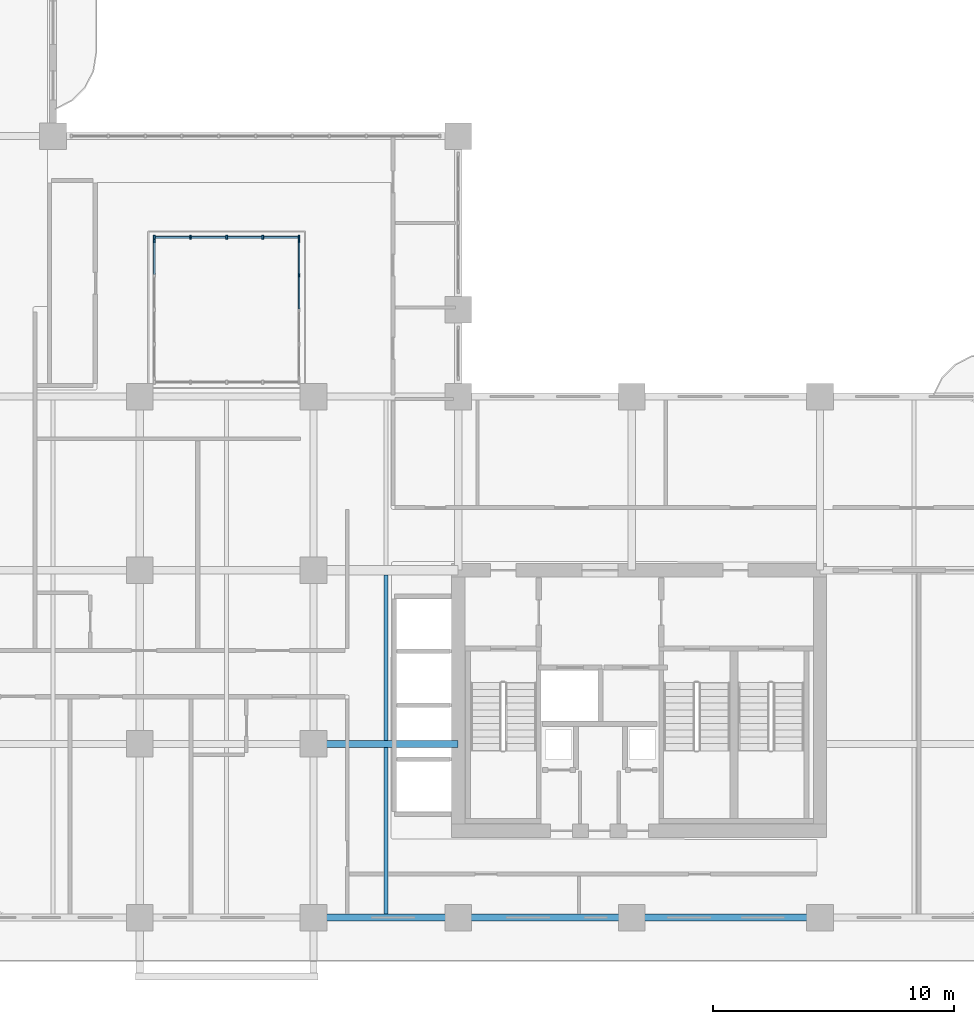
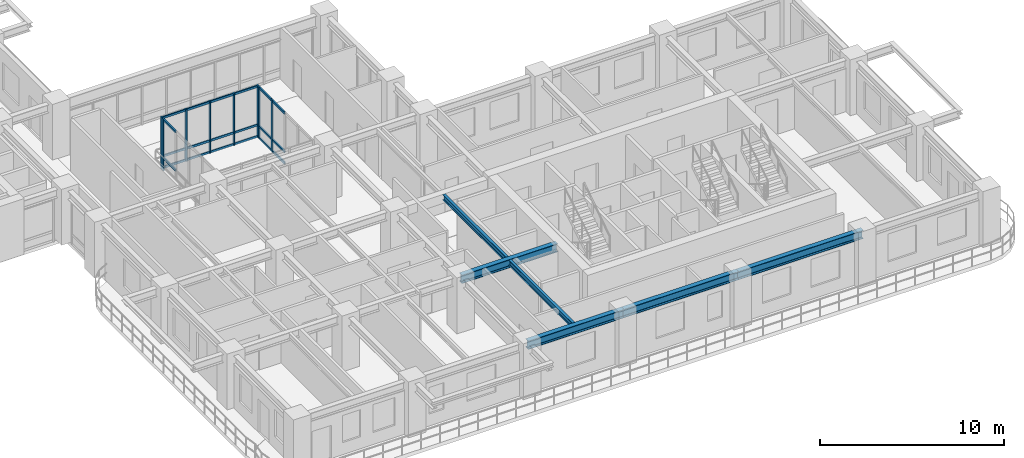
# One storey, part 3 of 22: 28 members, 6 beams, 3 elements without a shape of their own.
"""IFC4 building model written with IfcOpenShell, lengths in metres."""

from ifc_helpers import new_model, si_unit, derived_unit, direction, frame, origin, origin_2d, place, context, subcontext, project, spatial, rectangle, i_section, extrude, source, transform, mapped, material, layer, layer_set, material_profile, profile_set, type_object, type_shapes, element, aggregate, save


model = new_model("IFC4")

# Units and contexts
model_context = context("Model", 3, precision=1e-05, world=origin(), true_north=direction((0.0, 1.0)))
body_context = subcontext(model_context, "Body", "Model", "MODEL_VIEW")
ifc_project = project(units=[si_unit("LENGTHUNIT", "METRE"), si_unit("AREAUNIT", "SQUARE_METRE"), si_unit("VOLUMEUNIT", "CUBIC_METRE"), si_unit("PLANEANGLEUNIT", "RADIAN"), si_unit("MASSUNIT", "GRAM", prefix="KILO"), si_unit("THERMODYNAMICTEMPERATUREUNIT", "KELVIN"), si_unit("POWERUNIT", "WATT"), derived_unit("THERMALTRANSMITTANCEUNIT", [(si_unit("POWERUNIT", "WATT"), 1), (si_unit("AREAUNIT", "SQUARE_METRE"), -1), (si_unit("THERMODYNAMICTEMPERATUREUNIT", "KELVIN"), -1)])], contexts=[model_context])

# Site, building, storey
site_placement = place(None, origin())
site = spatial("IfcSite", under=ifc_project, at=site_placement, CompositionType="ELEMENT")
building_placement = place(site_placement, origin())
building = spatial("IfcBuilding", under=site, at=building_placement, Name="Zahravan Archway Hotel and Residences", CompositionType="ELEMENT")
storey_placement = place(building_placement, frame((0.0, 0.0, 95.300048828125)))
storey = spatial("IfcBuildingStorey", under=building, at=storey_placement, Name="L23", CompositionType="ELEMENT", Elevation=95.300048828125)

# Beams
ifc_material_1 = material(Name="Structural Steel S355JR", Category="steel")
ifc_material_profile_1 = material_profile(ifc_material_1, i_section(OverallWidth=0.300048828125, OverallDepth=0.550048828125, WebThickness=0.014892578125, FlangeThickness=0.029052734375, FilletRadius=0.027099609375, at=origin_2d()), Name="HEB 550", Category="steel")
ifc_profile_set_1 = profile_set([ifc_material_profile_1], Name="Structural Steel S355JR")
beam_type_1 = type_object("IfcBeamType", Name="BM-PRI-HEB550", PredefinedType="BEAM", material=ifc_profile_set_1)
shared_shape_1 = source(origin(), body_context, "Body", "SweptSolid", [
    extrude(i_section(OverallWidth=0.300048828125, OverallDepth=0.550048828125, WebThickness=0.014892578125, FlangeThickness=0.029052734375, FilletRadius=0.027099609375, at=origin_2d()), origin(), (0.0, 0.0, 1.0), 7.199951171875),
])
beam_1_placement = place(storey_placement, frame((34.800048828125, 0.0, 3.175048828125), z_axis=(1.0, 0.0, 0.0), x_axis=(0.0, 1.0, 0.0)))
element("IfcBeam", 1, at=beam_1_placement, inside=storey, type_object=beam_type_1, Name="L23 Primary Girder EW-04", PredefinedType="BEAM", context=body_context, shape_type="MappedRepresentation", body=[
    mapped(shared_shape_1, transform((0.0, 0.0, 0.0), scale=1.0)),
])
shared_shape_2 = source(origin(), body_context, "Body", "SweptSolid", [
    extrude(i_section(OverallWidth=0.300048828125, OverallDepth=0.550048828125, WebThickness=0.014892578125, FlangeThickness=0.029052734375, FilletRadius=0.027099609375, at=origin_2d()), origin(), (0.0, 0.0, 1.0), 6.0),
])
for number, where, z_axis, x_axis, name in (
    (2, (28.800048828125, 0.0, 3.175048828125), (1.0, 0.0, 0.0), (0.0, 1.0, 0.0), "L23 Primary Girder EW-03"),
    (3, (28.800048828125, 7.199951171875, 3.175048828125), (1.0, 0.0, 0.0), (0.0, 1.0, 0.0), "L23 Primary Girder EW-09"),
):
    element("IfcBeam", number, at=place(storey_placement, frame(where, z_axis=z_axis, x_axis=x_axis)), inside=storey, type_object=beam_type_1, Name=name, PredefinedType="BEAM", context=body_context, shape_type="MappedRepresentation", body=[
        mapped(shared_shape_2, transform((0.0, 0.0, 0.0), scale=1.0)),
    ])
shared_shape_3 = source(origin(), body_context, "Body", "SweptSolid", [
    extrude(i_section(OverallWidth=0.300048828125, OverallDepth=0.550048828125, WebThickness=0.014892578125, FlangeThickness=0.029052734375, FilletRadius=0.027099609375, at=origin_2d()), origin(), (0.0, 0.0, 1.0), 7.800048828125),
])
beam_2_placement = place(storey_placement, frame((42.0, 0.0, 3.175048828125), z_axis=(1.0, 0.0, 0.0), x_axis=(0.0, 1.0, 0.0)))
element("IfcBeam", 4, at=beam_2_placement, inside=storey, type_object=beam_type_1, Name="L23 Primary Girder EW-05", PredefinedType="BEAM", context=body_context, shape_type="MappedRepresentation", body=[
    mapped(shared_shape_3, transform((0.0, 0.0, 0.0), scale=1.0)),
])
ifc_material_profile_2 = material_profile(ifc_material_1, i_section(OverallWidth=0.169921875, OverallDepth=0.360107421875, WebThickness=0.008056640625, FlangeThickness=0.0126953125, FilletRadius=0.01806640625, at=origin_2d()), Name="IPE 360", Category="steel")
ifc_profile_set_2 = profile_set([ifc_material_profile_2], Name="Structural Steel S355JR")
beam_type_2 = type_object("IfcBeamType", Name="BM-JST-IPE360", PredefinedType="JOIST", material=ifc_profile_set_2)
shared_shape_4 = source(origin(), body_context, "Body", "SweptSolid", [
    extrude(i_section(OverallWidth=0.169921875, OverallDepth=0.360107421875, WebThickness=0.008056640625, FlangeThickness=0.0126953125, FilletRadius=0.01806640625, at=origin_2d()), origin(), (0.0, 0.0, 1.0), 6.904052734375),
])
type_shapes(beam_type_2, [shared_shape_4])
beam_3_placement = place(storey_placement, frame((31.800048828125, 0.14794921875, 3.27001953125), z_axis=(0.0, 1.0, 0.0), x_axis=(-1.0, 0.0, 0.0)))
element("IfcBeam", 5, at=beam_3_placement, inside=storey, type_object=beam_type_2, Name="L23 Composite Floor Joist 03", PredefinedType="JOIST", context=body_context, shape_type="MappedRepresentation", body=[
    mapped(shared_shape_4, transform((0.0, 0.0, 0.0), scale=1.0)),
])
shared_shape_5 = source(origin(), body_context, "Body", "SweptSolid", [
    extrude(i_section(OverallWidth=0.169921875, OverallDepth=0.360107421875, WebThickness=0.008056640625, FlangeThickness=0.0126953125, FilletRadius=0.01806640625, at=origin_2d()), origin(), (0.0, 0.0, 1.0), 6.85400390625),
])
beam_4_placement = place(storey_placement, frame((31.800048828125, 7.347900390625, 3.27001953125), z_axis=(0.0, 1.0, 0.0), x_axis=(-1.0, 0.0, 0.0)))
element("IfcBeam", 6, at=beam_4_placement, inside=storey, type_object=beam_type_2, Name="L23 Composite Floor Joist 07", PredefinedType="JOIST", context=body_context, shape_type="MappedRepresentation", body=[
    mapped(shared_shape_5, transform((0.0, 0.0, 0.0), scale=1.0)),
])

# Curtain wall, members
ifc_material_2 = material(Name="Bronze-Anodized Unitised Aluminium & Low-E Glass", Category="aluminium")
ifc_layer = layer(ifc_material_2, 0.179931640625, Name="Bronze-Anodized Unitised Aluminium & Low-E Glass", Category="aluminium")
ifc_layer_set = layer_set([ifc_layer], Name="Bronze-Anodized Unitised Aluminium & Low-E Glass")
curtain_wall_type = type_object("IfcCurtainWallType", Name="CW-ATR-GLAZ", PredefinedType="NOTDEFINED", material=ifc_layer_set)
curtain_wall_1_placement = place(storey_placement, origin())
curtain_wall_1 = element("IfcCurtainWall", 7, at=curtain_wall_1_placement, inside=storey, type_object=curtain_wall_type, Name="L23 Curtain Wall CW-ATR-L23-N-1", PredefinedType="NOTDEFINED")
ifc_material_3 = material(Name="Bronze-Anodized Extruded Aluminium", Category="aluminium")
ifc_material_profile_3 = material_profile(ifc_material_3, rectangle(XDim=0.080078125, YDim=0.159912109375, at=origin_2d()), Name="MUL 80x160", Category="aluminium")
ifc_profile_set_3 = profile_set([ifc_material_profile_3], Name="Bronze-Anodized Extruded Aluminium")
member_type_1 = type_object("IfcMemberType", Name="CWM-MUL-160", PredefinedType="MULLION", material=ifc_profile_set_3)
shared_shape_6 = source(origin(), body_context, "Body", "SweptSolid", [
    extrude(rectangle(XDim=0.080078125, YDim=0.159912109375, at=origin_2d()), origin(), (0.0, 0.0, 1.0), 3.449951171875),
])
member_1_placement = place(storey_placement, frame((22.199951171875, 28.199951171875, 0.0), z_axis=(0.0, 0.0, 1.0), x_axis=(1.0, 0.0, 0.0)))
member_1 = element("IfcMember", 8, at=member_1_placement, type_object=member_type_1, Name="CW-ATR-L23-N-1 Mullion 0", PredefinedType="MULLION", context=body_context, shape_type="MappedRepresentation", body=[
    mapped(shared_shape_6, transform((0.0, 0.0, 0.0), scale=1.0)),
])
member_2_placement = place(storey_placement, frame((23.699951171875, 28.199951171875, 0.0), z_axis=(0.0, 0.0, 1.0), x_axis=(1.0, 0.0, 0.0)))
member_2 = element("IfcMember", 9, at=member_2_placement, type_object=member_type_1, Name="CW-ATR-L23-N-1 Mullion 1", PredefinedType="MULLION", context=body_context, shape_type="MappedRepresentation", body=[
    mapped(shared_shape_6, transform((0.0, 0.0, 0.0), scale=1.0)),
])
member_3_placement = place(storey_placement, frame((25.199951171875, 28.199951171875, 0.0), z_axis=(0.0, 0.0, 1.0), x_axis=(1.0, 0.0, 0.0)))
member_3 = element("IfcMember", 10, at=member_3_placement, type_object=member_type_1, Name="CW-ATR-L23-N-1 Mullion 2", PredefinedType="MULLION", context=body_context, shape_type="MappedRepresentation", body=[
    mapped(shared_shape_6, transform((0.0, 0.0, 0.0), scale=1.0)),
])
member_4_placement = place(storey_placement, frame((26.699951171875, 28.199951171875, 0.0), z_axis=(0.0, 0.0, 1.0), x_axis=(1.0, 0.0, 0.0)))
member_4 = element("IfcMember", 11, at=member_4_placement, type_object=member_type_1, Name="CW-ATR-L23-N-1 Mullion 3", PredefinedType="MULLION", context=body_context, shape_type="MappedRepresentation", body=[
    mapped(shared_shape_6, transform((0.0, 0.0, 0.0), scale=1.0)),
])
member_5_placement = place(storey_placement, frame((28.199951171875, 28.199951171875, 0.0), z_axis=(0.0, 0.0, 1.0), x_axis=(1.0, 0.0, 0.0)))
member_5 = element("IfcMember", 12, at=member_5_placement, type_object=member_type_1, Name="CW-ATR-L23-N-1 Mullion 4", PredefinedType="MULLION", context=body_context, shape_type="MappedRepresentation", body=[
    mapped(shared_shape_6, transform((0.0, 0.0, 0.0), scale=1.0)),
])

# Curtain wall, member
curtain_wall_2_placement = place(storey_placement, origin())
curtain_wall_2 = element("IfcCurtainWall", 13, at=curtain_wall_2_placement, inside=storey, type_object=curtain_wall_type, Name="L23 Curtain Wall CW-ATR-L23-W-1", PredefinedType="NOTDEFINED")
member_6_placement = place(storey_placement, frame((22.199951171875, 28.050048828125, 0.0), z_axis=(0.0, 0.0, 1.0), x_axis=(1.0, 0.0, 0.0)))
member_6 = element("IfcMember", 14, at=member_6_placement, type_object=member_type_1, Name="CW-ATR-L23-W-1 Mullion 4", PredefinedType="MULLION", context=body_context, shape_type="MappedRepresentation", body=[
    mapped(shared_shape_6, transform((0.0, 0.0, 0.0), scale=1.0)),
])

# Curtain wall, members
curtain_wall_3_placement = place(storey_placement, origin())
curtain_wall_3 = element("IfcCurtainWall", 15, at=curtain_wall_3_placement, inside=storey, type_object=curtain_wall_type, Name="L23 Curtain Wall CW-ATR-L23-E-1", PredefinedType="NOTDEFINED")
member_7_placement = place(storey_placement, frame((28.199951171875, 26.625, 0.0), z_axis=(0.0, 0.0, 1.0), x_axis=(1.0, 0.0, 0.0)))
member_7 = element("IfcMember", 16, at=member_7_placement, type_object=member_type_1, Name="CW-ATR-L23-E-1 Mullion 3", PredefinedType="MULLION", context=body_context, shape_type="MappedRepresentation", body=[
    mapped(shared_shape_6, transform((0.0, 0.0, 0.0), scale=1.0)),
])
member_8_placement = place(storey_placement, frame((28.199951171875, 28.050048828125, 0.0), z_axis=(0.0, 0.0, 1.0), x_axis=(1.0, 0.0, 0.0)))
member_8 = element("IfcMember", 17, at=member_8_placement, type_object=member_type_1, Name="CW-ATR-L23-E-1 Mullion 4", PredefinedType="MULLION", context=body_context, shape_type="MappedRepresentation", body=[
    mapped(shared_shape_6, transform((0.0, 0.0, 0.0), scale=1.0)),
])

# Member
ifc_material_profile_4 = material_profile(ifc_material_3, rectangle(XDim=0.080078125, YDim=0.139892578125, at=origin_2d()), Name="TRN 80x140", Category="aluminium")
ifc_profile_set_4 = profile_set([ifc_material_profile_4], Name="Bronze-Anodized Extruded Aluminium")
member_type_2 = type_object("IfcMemberType", Name="CWM-TRN-140", PredefinedType="USERDEFINED", material=ifc_profile_set_4)
shared_shape_7 = source(origin(), body_context, "Body", "SweptSolid", [
    extrude(rectangle(XDim=0.080078125, YDim=0.139892578125, at=origin_2d()), origin(), (0.0, 0.0, 1.0), 1.419921875),
])
member_9_placement = place(storey_placement, frame((22.239990234375, 28.199951171875, 0.070068359375), z_axis=(1.0, 0.0, 0.0), x_axis=(0.0, 1.0, 0.0)))
member_9 = element("IfcMember", 18, at=member_9_placement, type_object=member_type_2, Name="CW-ATR-L23-N-1 Transom 0-1", ObjectType="TRANSOM", PredefinedType="USERDEFINED", context=body_context, shape_type="MappedRepresentation", body=[
    mapped(shared_shape_7, transform((0.0, 0.0, 0.0), scale=1.0)),
])

member_10_placement = place(storey_placement, frame((22.239990234375, 28.199951171875, 0.827880859375), z_axis=(1.0, 0.0, 0.0), x_axis=(0.0, 1.0, 0.0)))
member_10 = element("IfcMember", 19, at=member_10_placement, type_object=member_type_2, Name="CW-ATR-L23-N-1 Transom 0-2", ObjectType="TRANSOM", PredefinedType="USERDEFINED", context=body_context, shape_type="MappedRepresentation", body=[
    mapped(shared_shape_7, transform((0.0, 0.0, 0.0), scale=1.0)),
])

member_11_placement = place(storey_placement, frame((22.239990234375, 28.199951171875, 3.3798828125), z_axis=(1.0, 0.0, 0.0), x_axis=(0.0, 1.0, 0.0)))
member_11 = element("IfcMember", 20, at=member_11_placement, type_object=member_type_2, Name="CW-ATR-L23-N-1 Transom 0-3", ObjectType="TRANSOM", PredefinedType="USERDEFINED", context=body_context, shape_type="MappedRepresentation", body=[
    mapped(shared_shape_7, transform((0.0, 0.0, 0.0), scale=1.0)),
])

member_12_placement = place(storey_placement, frame((23.739990234375, 28.199951171875, 0.070068359375), z_axis=(1.0, 0.0, 0.0), x_axis=(0.0, 1.0, 0.0)))
member_12 = element("IfcMember", 21, at=member_12_placement, type_object=member_type_2, Name="CW-ATR-L23-N-1 Transom 1-1", ObjectType="TRANSOM", PredefinedType="USERDEFINED", context=body_context, shape_type="MappedRepresentation", body=[
    mapped(shared_shape_7, transform((0.0, 0.0, 0.0), scale=1.0)),
])

member_13_placement = place(storey_placement, frame((23.739990234375, 28.199951171875, 0.827880859375), z_axis=(1.0, 0.0, 0.0), x_axis=(0.0, 1.0, 0.0)))
member_13 = element("IfcMember", 22, at=member_13_placement, type_object=member_type_2, Name="CW-ATR-L23-N-1 Transom 1-2", ObjectType="TRANSOM", PredefinedType="USERDEFINED", context=body_context, shape_type="MappedRepresentation", body=[
    mapped(shared_shape_7, transform((0.0, 0.0, 0.0), scale=1.0)),
])

member_14_placement = place(storey_placement, frame((23.739990234375, 28.199951171875, 3.3798828125), z_axis=(1.0, 0.0, 0.0), x_axis=(0.0, 1.0, 0.0)))
member_14 = element("IfcMember", 23, at=member_14_placement, type_object=member_type_2, Name="CW-ATR-L23-N-1 Transom 1-3", ObjectType="TRANSOM", PredefinedType="USERDEFINED", context=body_context, shape_type="MappedRepresentation", body=[
    mapped(shared_shape_7, transform((0.0, 0.0, 0.0), scale=1.0)),
])

member_15_placement = place(storey_placement, frame((25.239990234375, 28.199951171875, 0.070068359375), z_axis=(1.0, 0.0, 0.0), x_axis=(0.0, 1.0, 0.0)))
member_15 = element("IfcMember", 24, at=member_15_placement, type_object=member_type_2, Name="CW-ATR-L23-N-1 Transom 2-1", ObjectType="TRANSOM", PredefinedType="USERDEFINED", context=body_context, shape_type="MappedRepresentation", body=[
    mapped(shared_shape_7, transform((0.0, 0.0, 0.0), scale=1.0)),
])

member_16_placement = place(storey_placement, frame((25.239990234375, 28.199951171875, 0.827880859375), z_axis=(1.0, 0.0, 0.0), x_axis=(0.0, 1.0, 0.0)))
member_16 = element("IfcMember", 25, at=member_16_placement, type_object=member_type_2, Name="CW-ATR-L23-N-1 Transom 2-2", ObjectType="TRANSOM", PredefinedType="USERDEFINED", context=body_context, shape_type="MappedRepresentation", body=[
    mapped(shared_shape_7, transform((0.0, 0.0, 0.0), scale=1.0)),
])

member_17_placement = place(storey_placement, frame((25.239990234375, 28.199951171875, 3.3798828125), z_axis=(1.0, 0.0, 0.0), x_axis=(0.0, 1.0, 0.0)))
member_17 = element("IfcMember", 26, at=member_17_placement, type_object=member_type_2, Name="CW-ATR-L23-N-1 Transom 2-3", ObjectType="TRANSOM", PredefinedType="USERDEFINED", context=body_context, shape_type="MappedRepresentation", body=[
    mapped(shared_shape_7, transform((0.0, 0.0, 0.0), scale=1.0)),
])

member_18_placement = place(storey_placement, frame((26.739990234375, 28.199951171875, 0.070068359375), z_axis=(1.0, 0.0, 0.0), x_axis=(0.0, 1.0, 0.0)))
member_18 = element("IfcMember", 27, at=member_18_placement, type_object=member_type_2, Name="CW-ATR-L23-N-1 Transom 3-1", ObjectType="TRANSOM", PredefinedType="USERDEFINED", context=body_context, shape_type="MappedRepresentation", body=[
    mapped(shared_shape_7, transform((0.0, 0.0, 0.0), scale=1.0)),
])

member_19_placement = place(storey_placement, frame((26.739990234375, 28.199951171875, 0.827880859375), z_axis=(1.0, 0.0, 0.0), x_axis=(0.0, 1.0, 0.0)))
member_19 = element("IfcMember", 28, at=member_19_placement, type_object=member_type_2, Name="CW-ATR-L23-N-1 Transom 3-2", ObjectType="TRANSOM", PredefinedType="USERDEFINED", context=body_context, shape_type="MappedRepresentation", body=[
    mapped(shared_shape_7, transform((0.0, 0.0, 0.0), scale=1.0)),
])

member_20_placement = place(storey_placement, frame((26.739990234375, 28.199951171875, 3.3798828125), z_axis=(1.0, 0.0, 0.0), x_axis=(0.0, 1.0, 0.0)))
member_20 = element("IfcMember", 29, at=member_20_placement, type_object=member_type_2, Name="CW-ATR-L23-N-1 Transom 3-3", ObjectType="TRANSOM", PredefinedType="USERDEFINED", context=body_context, shape_type="MappedRepresentation", body=[
    mapped(shared_shape_7, transform((0.0, 0.0, 0.0), scale=1.0)),
])

aggregate(curtain_wall_1, [member_1, member_2, member_3, member_4, member_5, member_9, member_10, member_11, member_12, member_13, member_14, member_15, member_16, member_17, member_18, member_19, member_20])

shared_shape_8 = source(origin(), body_context, "Body", "SweptSolid", [
    extrude(rectangle(XDim=0.080078125, YDim=0.139892578125, at=origin_2d()), origin(), (0.0, 0.0, 1.0), 1.344970703125),
])
member_21_placement = place(storey_placement, frame((22.199951171875, 26.6650390625, 0.827880859375), z_axis=(0.0, 1.0, 0.0), x_axis=(-1.0, 0.0, 0.0)))
member_21 = element("IfcMember", 30, at=member_21_placement, type_object=member_type_2, Name="CW-ATR-L23-W-1 Transom 3-2", ObjectType="TRANSOM", PredefinedType="USERDEFINED", context=body_context, shape_type="MappedRepresentation", body=[
    mapped(shared_shape_8, transform((0.0, 0.0, 0.0), scale=1.0)),
])

member_22_placement = place(storey_placement, frame((22.199951171875, 26.6650390625, 3.3798828125), z_axis=(0.0, 1.0, 0.0), x_axis=(-1.0, 0.0, 0.0)))
member_22 = element("IfcMember", 31, at=member_22_placement, type_object=member_type_2, Name="CW-ATR-L23-W-1 Transom 3-3", ObjectType="TRANSOM", PredefinedType="USERDEFINED", context=body_context, shape_type="MappedRepresentation", body=[
    mapped(shared_shape_8, transform((0.0, 0.0, 0.0), scale=1.0)),
])

aggregate(curtain_wall_2, [member_6, member_21, member_22])

member_23_placement = place(storey_placement, frame((28.199951171875, 25.239990234375, 0.070068359375), z_axis=(0.0, 1.0, 0.0), x_axis=(-1.0, 0.0, 0.0)))
member_23 = element("IfcMember", 32, at=member_23_placement, type_object=member_type_2, Name="CW-ATR-L23-E-1 Transom 2-1", ObjectType="TRANSOM", PredefinedType="USERDEFINED", context=body_context, shape_type="MappedRepresentation", body=[
    mapped(shared_shape_8, transform((0.0, 0.0, 0.0), scale=1.0)),
])

member_24_placement = place(storey_placement, frame((28.199951171875, 25.239990234375, 0.827880859375), z_axis=(0.0, 1.0, 0.0), x_axis=(-1.0, 0.0, 0.0)))
member_24 = element("IfcMember", 33, at=member_24_placement, type_object=member_type_2, Name="CW-ATR-L23-E-1 Transom 2-2", ObjectType="TRANSOM", PredefinedType="USERDEFINED", context=body_context, shape_type="MappedRepresentation", body=[
    mapped(shared_shape_8, transform((0.0, 0.0, 0.0), scale=1.0)),
])

member_25_placement = place(storey_placement, frame((28.199951171875, 25.239990234375, 3.3798828125), z_axis=(0.0, 1.0, 0.0), x_axis=(-1.0, 0.0, 0.0)))
member_25 = element("IfcMember", 34, at=member_25_placement, type_object=member_type_2, Name="CW-ATR-L23-E-1 Transom 2-3", ObjectType="TRANSOM", PredefinedType="USERDEFINED", context=body_context, shape_type="MappedRepresentation", body=[
    mapped(shared_shape_8, transform((0.0, 0.0, 0.0), scale=1.0)),
])

member_26_placement = place(storey_placement, frame((28.199951171875, 26.6650390625, 0.070068359375), z_axis=(0.0, 1.0, 0.0), x_axis=(-1.0, 0.0, 0.0)))
member_26 = element("IfcMember", 35, at=member_26_placement, type_object=member_type_2, Name="CW-ATR-L23-E-1 Transom 3-1", ObjectType="TRANSOM", PredefinedType="USERDEFINED", context=body_context, shape_type="MappedRepresentation", body=[
    mapped(shared_shape_8, transform((0.0, 0.0, 0.0), scale=1.0)),
])

member_27_placement = place(storey_placement, frame((28.199951171875, 26.6650390625, 0.827880859375), z_axis=(0.0, 1.0, 0.0), x_axis=(-1.0, 0.0, 0.0)))
member_27 = element("IfcMember", 36, at=member_27_placement, type_object=member_type_2, Name="CW-ATR-L23-E-1 Transom 3-2", ObjectType="TRANSOM", PredefinedType="USERDEFINED", context=body_context, shape_type="MappedRepresentation", body=[
    mapped(shared_shape_8, transform((0.0, 0.0, 0.0), scale=1.0)),
])

member_28_placement = place(storey_placement, frame((28.199951171875, 26.6650390625, 3.3798828125), z_axis=(0.0, 1.0, 0.0), x_axis=(-1.0, 0.0, 0.0)))
member_28 = element("IfcMember", 37, at=member_28_placement, type_object=member_type_2, Name="CW-ATR-L23-E-1 Transom 3-3", ObjectType="TRANSOM", PredefinedType="USERDEFINED", context=body_context, shape_type="MappedRepresentation", body=[
    mapped(shared_shape_8, transform((0.0, 0.0, 0.0), scale=1.0)),
])

aggregate(curtain_wall_3, [member_7, member_8, member_23, member_24, member_25, member_26, member_27, member_28])

save(model, "model.ifc")
